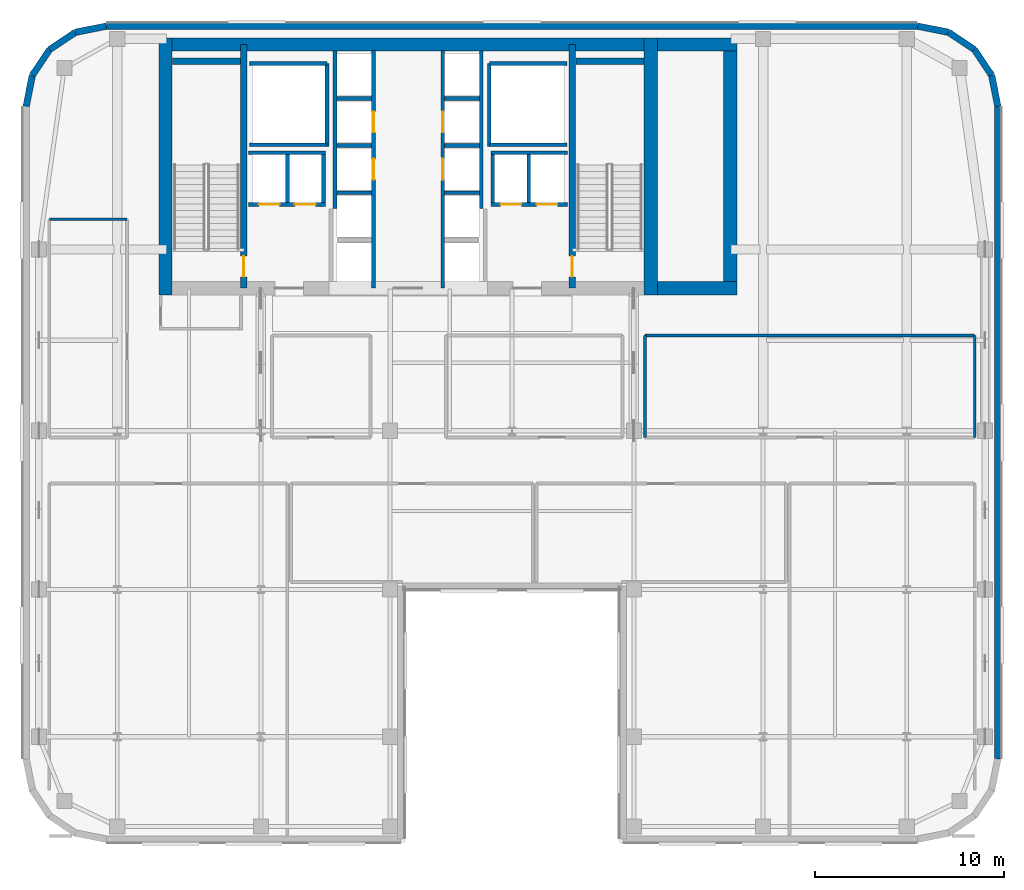
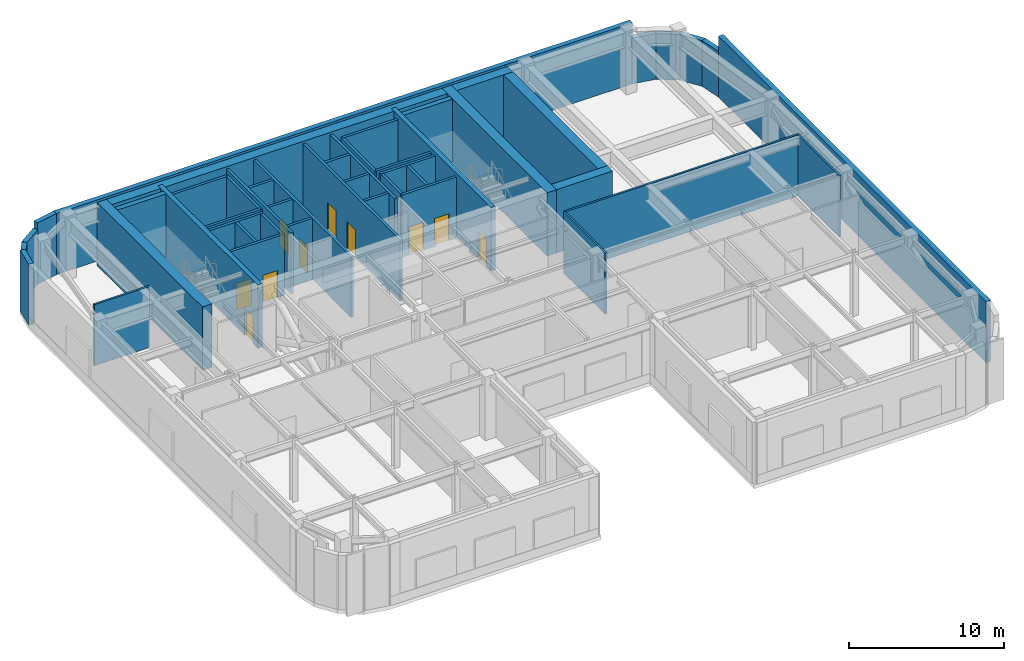
# One storey, part 6 of 12: 48 walls, 10 doors, 10 openings.
"""IFC4 building model written with IfcOpenShell, lengths in metres."""

from ifc_helpers import new_model, si_unit, direction, frame, frame_2d, origin, place, context, subcontext, project, spatial, rectangle, extrude, source, transform, mapped, material, layer, layer_set, type_object, type_shapes, element, fill, save


model = new_model("IFC4")

# Units and contexts
model_context = context("Model", 3, precision=1e-05, world=origin(), true_north=direction((0.0, 1.0)))
body_context = subcontext(model_context, "Body", "Model", "MODEL_VIEW")
ifc_project = project(units=[si_unit("LENGTHUNIT", "METRE"), si_unit("AREAUNIT", "SQUARE_METRE"), si_unit("VOLUMEUNIT", "CUBIC_METRE"), si_unit("PLANEANGLEUNIT", "RADIAN"), si_unit("MASSUNIT", "GRAM", prefix="KILO")], contexts=[model_context])

# Site, building, storey
site_placement = place(None, origin())
site = spatial("IfcSite", under=ifc_project, at=site_placement, CompositionType="ELEMENT")
building_placement = place(site_placement, origin())
building = spatial("IfcBuilding", under=site, at=building_placement, Name="Tolvann Quenvar Hotel", CompositionType="ELEMENT")
storey_placement = place(building_placement, frame((0.0, 0.0, 182.550048828125)))
storey = spatial("IfcBuildingStorey", under=building, at=storey_placement, Name="L48", CompositionType="ELEMENT", Elevation=182.550048828125)

# Walls
ifc_material_1 = material(Name="Concrete S65 (65 MPa)", Category="concrete")
ifc_layer_1 = layer(ifc_material_1, 0.699951171875)
ifc_layer_set_1 = layer_set([ifc_layer_1], Name="Concrete S65 (65 MPa)")
wall_type_1 = type_object("IfcWallType", Name="WALL_CORE_700", PredefinedType="SHEAR", material=ifc_layer_set_1)
wall_1_placement = place(storey_placement, frame((9.800048828125, 44.85009765625, 0.0), z_axis=(0.0, 0.0, 1.0), x_axis=(1.0, 0.0, 0.0)))
element("IfcWall", 1, at=wall_1_placement, inside=storey, type_object=wall_type_1, Name="Rear Core N Shear Wall (L48)", PredefinedType="SHEAR", context=body_context, shape_type="SweptSolid", body=[
    extrude(rectangle(XDim=26.39990234375, YDim=0.699951171875, at=frame_2d((13.199951171875, 0.0))), origin(), (0.0, 0.0, 1.0), 5.0),
])
for number, where, z_axis, x_axis, name in (
    (2, (10.14990234375, 31.60009765625, 0.0), (0.0, 0.0, 1.0), (0.0, 1.0, 0.0), "Rear Core W Shear Wall (L48)"),
    (3, (35.85009765625, 31.60009765625, 0.0), (0.0, 0.0, 1.0), (0.0, 1.0, 0.0), "Rear Core E Shear Wall (L48)"),
):
    element("IfcWall", number, at=place(storey_placement, frame(where, z_axis=z_axis, x_axis=x_axis)), inside=storey, type_object=wall_type_1, Name=name, PredefinedType="SHEAR", context=body_context, shape_type="SweptSolid", body=[
        extrude(rectangle(XDim=13.599853515625, YDim=0.699951171875, at=frame_2d((6.7998046875, 0.0))), origin(), (0.0, 0.0, 1.0), 5.0),
    ])
for number, where, z_axis, x_axis, name in (
    (4, (36.199951171875, 31.949951171875, 0.0), (0.0, 0.0, 1.0), (1.0, 0.0, 0.0), "Core East Annex Shear Wall ANN-S (L48)"),
    (5, (36.199951171875, 44.85009765625, 0.0), (0.0, 0.0, 1.0), (1.0, 0.0, 0.0), "Core East Annex Shear Wall ANN-N (L48)"),
):
    element("IfcWall", number, at=place(storey_placement, frame(where, z_axis=z_axis, x_axis=x_axis)), inside=storey, type_object=wall_type_1, Name=name, PredefinedType="SHEAR", context=body_context, shape_type="SweptSolid", body=[
        extrude(rectangle(XDim=4.199951171875, YDim=0.699951171875, at=frame_2d((2.10009765625, 0.0))), origin(), (0.0, 0.0, 1.0), 5.0),
    ])
wall_2_placement = place(storey_placement, frame((40.050048828125, 31.60009765625, 0.0), z_axis=(0.0, 0.0, 1.0), x_axis=(0.0, 1.0, 0.0)))
element("IfcWall", 6, at=wall_2_placement, inside=storey, type_object=wall_type_1, Name="Core East Annex Shear Wall ANN-E (L48)", PredefinedType="SHEAR", context=body_context, shape_type="SweptSolid", body=[
    extrude(rectangle(XDim=13.599853515625, YDim=0.699951171875, at=frame_2d((6.7998046875, 0.0))), origin(), (0.0, 0.0, 1.0), 5.0),
])

# Wall, opening, door
ifc_layer_2 = layer(ifc_material_1, 0.35009765625)
ifc_layer_set_2 = layer_set([ifc_layer_2], Name="Concrete S65 (65 MPa)")
wall_type_2 = type_object("IfcWallType", Name="WALL_CORE_INT_350", PredefinedType="SHEAR", material=ifc_layer_set_2)
wall_3_placement = place(storey_placement, frame((14.300048828125, 31.949951171875, 0.0), z_axis=(0.0, 0.0, 1.0), x_axis=(0.0, 1.0, 0.0)))
wall_3 = element("IfcWall", 7, at=wall_3_placement, inside=storey, type_object=wall_type_2, Name="Core Internal Web Shear Wall WEB-W (L48)", PredefinedType="SHEAR", context=body_context, shape_type="SweptSolid", body=[
    extrude(rectangle(XDim=12.900146484375, YDim=0.35009765625, at=frame_2d((6.4501953125, 0.0))), origin(), (0.0, 0.0, 1.0), 5.0),
])
opening_1_placement = place(wall_3_placement, frame((0.60009765625, 0.0, 0.0)))
opening_1 = element("IfcOpeningElement", 8, at=opening_1_placement, cuts=wall_3, Name="Opening FD-120", PredefinedType="OPENING", context=body_context, shape_type="SweptSolid", body=[
    extrude(rectangle(XDim=1.10009765625, YDim=2.1201171875, at=frame_2d((0.550048828125, 1.06005859375))), frame((0.0, 0.18505859375, 0.0), z_axis=(0.0, -1.0, 0.0), x_axis=(1.0, 0.0, 0.0)), (0.0, 0.0, 1.0), 0.3701171875),
])
ifc_material_2 = material(Name="Pressed galvanised steel fire-rated door set", Category="steel")
door_type_1 = type_object("IfcDoorType", Name="DOOR_FIRE_STAIR_1100", OperationType="NOTDEFINED", PredefinedType="DOOR", material=ifc_material_2)
shared_shape_1 = source(origin(), body_context, "Body", "SweptSolid", [
    extrude(rectangle(XDim=1.10009765625, YDim=2.1201171875, at=frame_2d((0.550048828125, 1.06005859375))), frame((0.0, 0.02490234375, 0.0), z_axis=(0.0, -1.0, 0.0), x_axis=(1.0, 0.0, 0.0)), (0.0, 0.0, 1.0), 0.050048828125),
])
type_shapes(door_type_1, [shared_shape_1])
door_1_placement = place(opening_1_placement, origin())
door_1 = element("IfcDoor", 9, at=door_1_placement, inside=storey, type_object=door_type_1, Name="Exit Stair ST-C1 Fire Door (L48)", OperationType="SINGLE_SWING_RIGHT", OverallHeight=2.1201171875, OverallWidth=1.10009765625, PredefinedType="DOOR", context=body_context, shape_type="MappedRepresentation", body=[
    mapped(shared_shape_1, transform((0.0, 0.0, 0.0), x_axis=(1.0, 0.0, 0.0), y_axis=(0.0, 1.0, 0.0), z_axis=(0.0, 0.0, 1.0), scale=1.0)),
])
fill(opening_1, door_1)

wall_4_placement = place(storey_placement, frame((31.699951171875, 31.949951171875, 0.0), z_axis=(0.0, 0.0, 1.0), x_axis=(0.0, 1.0, 0.0)))
wall_4 = element("IfcWall", 10, at=wall_4_placement, inside=storey, type_object=wall_type_2, Name="Core Internal Web Shear Wall WEB-E (L48)", PredefinedType="SHEAR", context=body_context, shape_type="SweptSolid", body=[
    extrude(rectangle(XDim=12.900146484375, YDim=0.35009765625, at=frame_2d((6.4501953125, 0.0))), origin(), (0.0, 0.0, 1.0), 5.0),
])
opening_2_placement = place(wall_4_placement, frame((1.7001953125, 0.0, 0.0), z_axis=(0.0, 0.0, 1.0), x_axis=(-1.0, 0.0, 0.0)))
opening_2 = element("IfcOpeningElement", 11, at=opening_2_placement, cuts=wall_4, Name="Opening FD-120", PredefinedType="OPENING", context=body_context, shape_type="SweptSolid", body=[
    extrude(rectangle(XDim=1.10009765625, YDim=2.1201171875, at=frame_2d((0.550048828125, 1.06005859375))), frame((0.0, 0.18505859375, 0.0), z_axis=(0.0, -1.0, 0.0), x_axis=(1.0, 0.0, 0.0)), (0.0, 0.0, 1.0), 0.3701171875),
])
door_2_placement = place(opening_2_placement, origin())
door_2 = element("IfcDoor", 12, at=door_2_placement, inside=storey, type_object=door_type_1, Name="Exit Stair ST-C2 Fire Door (L48)", OperationType="SINGLE_SWING_LEFT", OverallHeight=2.1201171875, OverallWidth=1.10009765625, PredefinedType="DOOR", context=body_context, shape_type="MappedRepresentation", body=[
    mapped(shared_shape_1, transform((0.0, 0.0, 0.0), x_axis=(1.0, 0.0, 0.0), y_axis=(0.0, 1.0, 0.0), z_axis=(0.0, 0.0, 1.0), scale=1.0)),
])
fill(opening_2, door_2)

# Walls
for number, where, z_axis, x_axis, name in (
    (13, (10.52001953125, 43.97509765625, 0.0), (0.0, 0.0, 1.0), (1.0, 0.0, 0.0), "Core Stair North Closing Shear Wall STC1-N (L48)"),
    (14, (31.8798828125, 43.97509765625, 0.0), (0.0, 0.0, 1.0), (1.0, 0.0, 0.0), "Core Stair North Closing Shear Wall STC2-N (L48)"),
):
    element("IfcWall", number, at=place(storey_placement, frame(where, z_axis=z_axis, x_axis=x_axis)), inside=storey, type_object=wall_type_2, Name=name, PredefinedType="SHEAR", context=body_context, shape_type="SweptSolid", body=[
        extrude(rectangle(XDim=3.60009765625, YDim=0.35009765625, at=frame_2d((1.800048828125, 0.0))), origin(), (0.0, 0.0, 1.0), 5.0),
    ])
ifc_material_3 = material(Name="Kiln-fired red and buff architectural clay brickwork and terracotta masonry", Category="masonry")
ifc_layer_3 = layer(ifc_material_3, 0.35009765625)
ifc_layer_set_3 = layer_set([ifc_layer_3], Name="Kiln-fired red and buff architectural clay brickwork and terracotta masonry")
wall_type_3 = type_object("IfcWallType", Name="WALL_EXT_BRICK_350", PredefinedType="SOLIDWALL", material=ifc_layer_set_3)
wall_5_placement = place(storey_placement, frame((54.22509765625, 7.01708984375, 0.0), z_axis=(0.0, 0.0, 1.0), x_axis=(0.0, 1.0, 0.0)))
element("IfcWall", 15, at=wall_5_placement, inside=storey, type_object=wall_type_3, Name="Exterior Chicago Brick Wall L48-E13", PredefinedType="SOLIDWALL", context=body_context, shape_type="SweptSolid", body=[
    extrude(rectangle(XDim=34.565673828125, YDim=0.35009765625, at=frame_2d((17.28271484375, 0.0))), origin(), (0.0, 0.0, 1.0), 4.820068359375),
])
wall_6_placement = place(storey_placement, frame((54.22509765625, 41.582763671875, 0.0), z_axis=(0.0, 0.0, 1.0), x_axis=(-0.195044345786, 0.980794424524, 0.0)))
element("IfcWall", 16, at=wall_6_placement, inside=storey, type_object=wall_type_3, Name="Exterior Chicago Brick Wall L48-E14", PredefinedType="SOLIDWALL", context=body_context, shape_type="SweptSolid", body=[
    extrude(rectangle(XDim=1.664794921875, YDim=0.35009765625, at=frame_2d((0.83251953125, 0.0))), origin(), (0.0, 0.0, 1.0), 3.60986328125),
])
for number, where, z_axis, x_axis, name in (
    (17, (53.900390625, 43.215576171875, 0.0), (0.0, 0.0, 1.0), (-0.555623290322, 0.831434158098, 0.0), "Exterior Chicago Brick Wall L48-E15"),
    (18, (52.985107421875, 44.585205078125, 0.0), (0.0, 0.0, 1.0), (-0.831502623162, 0.555520825599, 0.0), "Exterior Chicago Brick Wall L48-E16"),
):
    element("IfcWall", number, at=place(storey_placement, frame(where, z_axis=z_axis, x_axis=x_axis)), inside=storey, type_object=wall_type_3, Name=name, PredefinedType="SOLIDWALL", context=body_context, shape_type="SweptSolid", body=[
        extrude(rectangle(XDim=1.647216796875, YDim=0.35009765625, at=frame_2d((0.82373046875, 0.0))), origin(), (0.0, 0.0, 1.0), 3.60986328125),
    ])
wall_7_placement = place(storey_placement, frame((51.615478515625, 45.500244140625, 0.0), z_axis=(0.0, 0.0, 1.0), x_axis=(-0.980788844421, 0.195072403631, 0.0)))
element("IfcWall", 19, at=wall_7_placement, inside=storey, type_object=wall_type_3, Name="Exterior Chicago Brick Wall L48-E17", PredefinedType="SOLIDWALL", context=body_context, shape_type="SweptSolid", body=[
    extrude(rectangle(XDim=1.66455078125, YDim=0.35009765625, at=frame_2d((0.832275390625, 0.0))), origin(), (0.0, 0.0, 1.0), 3.60986328125),
])
wall_8_placement = place(storey_placement, frame((49.98291015625, 45.824951171875, 0.0), z_axis=(0.0, 0.0, 1.0), x_axis=(-1.0, 0.0, 0.0)))
element("IfcWall", 20, at=wall_8_placement, inside=storey, type_object=wall_type_3, Name="Exterior Chicago Brick Wall L48-E18", PredefinedType="SOLIDWALL", context=body_context, shape_type="SweptSolid", body=[
    extrude(rectangle(XDim=42.9658203125, YDim=0.35009765625, at=frame_2d((21.48291015625, 0.0))), origin(), (0.0, 0.0, 1.0), 4.820068359375),
])
wall_9_placement = place(storey_placement, frame((7.01708984375, 45.824951171875, 0.0), z_axis=(0.0, 0.0, 1.0), x_axis=(-0.980788844421, -0.195072403631, 0.0)))
element("IfcWall", 21, at=wall_9_placement, inside=storey, type_object=wall_type_3, Name="Exterior Chicago Brick Wall L48-E19", PredefinedType="SOLIDWALL", context=body_context, shape_type="SweptSolid", body=[
    extrude(rectangle(XDim=1.66455078125, YDim=0.35009765625, at=frame_2d((0.832275390625, 0.0))), origin(), (0.0, 0.0, 1.0), 4.820068359375),
])
for number, where, z_axis, x_axis, name in (
    (22, (5.384521484375, 45.500244140625, 0.0), (0.0, 0.0, 1.0), (-0.831502623162, -0.555520825599, 0.0), "Exterior Chicago Brick Wall L48-E20"),
    (23, (4.014892578125, 44.585205078125, 0.0), (0.0, 0.0, 1.0), (-0.555623290322, -0.831434158098, 0.0), "Exterior Chicago Brick Wall L48-E21"),
):
    element("IfcWall", number, at=place(storey_placement, frame(where, z_axis=z_axis, x_axis=x_axis)), inside=storey, type_object=wall_type_3, Name=name, PredefinedType="SOLIDWALL", context=body_context, shape_type="SweptSolid", body=[
        extrude(rectangle(XDim=1.647216796875, YDim=0.35009765625, at=frame_2d((0.82373046875, 0.0))), origin(), (0.0, 0.0, 1.0), 4.281982421875),
    ])
wall_10_placement = place(storey_placement, frame((3.099609375, 43.215576171875, 0.0), z_axis=(0.0, 0.0, 1.0), x_axis=(-0.195044345786, -0.980794424524, 0.0)))
element("IfcWall", 24, at=wall_10_placement, inside=storey, type_object=wall_type_3, Name="Exterior Chicago Brick Wall L48-E22", PredefinedType="SOLIDWALL", context=body_context, shape_type="SweptSolid", body=[
    extrude(rectangle(XDim=1.664794921875, YDim=0.35009765625, at=frame_2d((0.83251953125, 0.0))), origin(), (0.0, 0.0, 1.0), 4.820068359375),
])
ifc_material_4 = material(Name="Acoustic twin-stud fire-rated gypsum plasterboard partition")
ifc_layer_4 = layer(ifc_material_4, 0.14990234375)
ifc_layer_set_4 = layer_set([ifc_layer_4], Name="Acoustic twin-stud fire-rated gypsum plasterboard partition")
wall_type_4 = type_object("IfcWallType", Name="WALL_PART_SUITE_150", PredefinedType="PARTITIONING", material=ifc_layer_set_4)
wall_11_placement = place(storey_placement, frame((4.0, 35.60009765625, 0.0), z_axis=(0.0, 0.0, 1.0), x_axis=(1.0, 0.0, 0.0)))
element("IfcWall", 25, at=wall_11_placement, inside=storey, type_object=wall_type_4, Name="Interior Partition PT-SPC-L48-REF-W-N", PredefinedType="PARTITIONING", context=body_context, shape_type="SweptSolid", body=[
    extrude(rectangle(XDim=4.1201171875, YDim=0.14990234375, at=frame_2d((2.06005859375, 0.0))), origin(), (0.0, 0.0, 1.0), 4.820068359375),
])
wall_12_placement = place(storey_placement, frame((35.550048828125, 29.449951171875, 0.0), z_axis=(0.0, 0.0, 1.0), x_axis=(1.0, 0.0, 0.0)))
element("IfcWall", 26, at=wall_12_placement, inside=storey, type_object=wall_type_4, Name="Interior Partition PT-SPC-L48-REF-FE-N", PredefinedType="PARTITIONING", context=body_context, shape_type="SweptSolid", body=[
    extrude(rectangle(XDim=17.449951171875, YDim=0.14990234375, at=frame_2d((8.72509765625, 0.0))), origin(), (0.0, 0.0, 1.0), 4.820068359375),
])
for number, where, z_axis, x_axis, name in (
    (27, (35.550048828125, 24.050048828125, 0.0), (0.0, 0.0, 1.0), (0.0, 1.0, 0.0), "Interior Partition PT-SPC-L48-REF-FE-W"),
    (28, (53.0, 24.050048828125, 0.0), (0.0, 0.0, 1.0), (0.0, 1.0, 0.0), "Interior Partition PT-SPC-L48-REF-FE-E"),
):
    element("IfcWall", number, at=place(storey_placement, frame(where, z_axis=z_axis, x_axis=x_axis)), inside=storey, type_object=wall_type_4, Name=name, PredefinedType="PARTITIONING", context=body_context, shape_type="SweptSolid", body=[
        extrude(rectangle(XDim=5.39990234375, YDim=0.14990234375, at=frame_2d((2.699951171875, 0.0))), origin(), (0.0, 0.0, 1.0), 4.820068359375),
    ])
ifc_material_5 = material(Name="Concrete N40 (40 MPa)", Category="concrete")
ifc_layer_5 = layer(ifc_material_5, 0.199951171875)
ifc_layer_set_5 = layer_set([ifc_layer_5], Name="Concrete N40 (40 MPa)")
wall_type_5 = type_object("IfcWallType", Name="WALL_SHAFT_200", PredefinedType="SOLIDWALL", material=ifc_layer_set_5)
wall_13_placement = place(storey_placement, frame((18.699951171875, 39.449951171875, 0.0), z_axis=(0.0, 0.0, 1.0), x_axis=(0.0, 1.0, 0.0)))
element("IfcWall", 29, at=wall_13_placement, inside=storey, type_object=wall_type_5, Name="Service Riser W Shaft Wall IN (L48)", PredefinedType="SOLIDWALL", context=body_context, shape_type="SweptSolid", body=[
    extrude(rectangle(XDim=4.400146484375, YDim=0.199951171875, at=frame_2d((2.2001953125, 0.0))), origin(), (0.0, 0.0, 1.0), 4.820068359375),
])
for number, where, z_axis, x_axis, name in (
    (30, (14.60009765625, 39.550048828125, 0.0), (0.0, 0.0, 1.0), (1.0, 0.0, 0.0), "Service Riser W Shaft Wall S (L48)"),
    (31, (14.60009765625, 43.85009765625, 0.0), (0.0, 0.0, 1.0), (1.0, 0.0, 0.0), "Service Riser W Shaft Wall N (L48)"),
):
    element("IfcWall", number, at=place(storey_placement, frame(where, z_axis=z_axis, x_axis=x_axis)), inside=storey, type_object=wall_type_5, Name=name, PredefinedType="SOLIDWALL", context=body_context, shape_type="SweptSolid", body=[
        extrude(rectangle(XDim=4.099853515625, YDim=0.199951171875, at=frame_2d((2.0498046875, 0.0))), origin(), (0.0, 0.0, 1.0), 4.820068359375),
    ])
wall_14_placement = place(storey_placement, frame((27.300048828125, 39.449951171875, 0.0), z_axis=(0.0, 0.0, 1.0), x_axis=(0.0, 1.0, 0.0)))
element("IfcWall", 32, at=wall_14_placement, inside=storey, type_object=wall_type_5, Name="Service Riser E Shaft Wall IN (L48)", PredefinedType="SOLIDWALL", context=body_context, shape_type="SweptSolid", body=[
    extrude(rectangle(XDim=4.400146484375, YDim=0.199951171875, at=frame_2d((2.2001953125, 0.0))), origin(), (0.0, 0.0, 1.0), 4.820068359375),
])
for number, where, z_axis, x_axis, name in (
    (33, (27.300048828125, 39.550048828125, 0.0), (0.0, 0.0, 1.0), (1.0, 0.0, 0.0), "Service Riser E Shaft Wall S (L48)"),
    (34, (27.300048828125, 43.85009765625, 0.0), (0.0, 0.0, 1.0), (1.0, 0.0, 0.0), "Service Riser E Shaft Wall N (L48)"),
):
    element("IfcWall", number, at=place(storey_placement, frame(where, z_axis=z_axis, x_axis=x_axis)), inside=storey, type_object=wall_type_5, Name=name, PredefinedType="SOLIDWALL", context=body_context, shape_type="SweptSolid", body=[
        extrude(rectangle(XDim=4.099853515625, YDim=0.199951171875, at=frame_2d((2.0498046875, 0.0))), origin(), (0.0, 0.0, 1.0), 4.820068359375),
    ])

# Wall, openings, doors
wall_15_placement = place(storey_placement, frame((21.169921875, 31.9599609375, 0.0), z_axis=(0.0, 0.0, 1.0), x_axis=(0.0, 1.0, 0.0)))
wall_15 = element("IfcWall", 35, at=wall_15_placement, inside=storey, type_object=wall_type_5, Name="Lift Bank E21.1C1 Hoistway Front Wall (L48)", PredefinedType="SOLIDWALL", context=body_context, shape_type="SweptSolid", body=[
    extrude(rectangle(XDim=12.580078125, YDim=0.199951171875, at=frame_2d((6.2900390625, 0.0))), origin(), (0.0, 0.0, 1.0), 4.820068359375),
])
opening_3_placement = place(wall_15_placement, frame((5.739990234375, 0.0, 0.0)))
opening_3 = element("IfcOpeningElement", 36, at=opening_3_placement, cuts=wall_15, Name="Opening LD-01", PredefinedType="OPENING", context=body_context, shape_type="SweptSolid", body=[
    extrude(rectangle(XDim=1.10009765625, YDim=2.1201171875, at=frame_2d((0.550048828125, 1.06005859375))), frame((0.0, 0.10986328125, 0.0), z_axis=(0.0, -1.0, 0.0), x_axis=(1.0, 0.0, 0.0)), (0.0, 0.0, 1.0), 0.219970703125),
])
opening_4_placement = place(wall_15_placement, frame((8.239990234375, 0.0, 0.0)))
opening_4 = element("IfcOpeningElement", 37, at=opening_4_placement, cuts=wall_15, Name="Opening LD-01", PredefinedType="OPENING", context=body_context, shape_type="SweptSolid", body=[
    extrude(rectangle(XDim=1.10009765625, YDim=2.1201171875, at=frame_2d((0.550048828125, 1.06005859375))), frame((0.0, 0.10986328125, 0.0), z_axis=(0.0, -1.0, 0.0), x_axis=(1.0, 0.0, 0.0)), (0.0, 0.0, 1.0), 0.219970703125),
])
ifc_material_6 = material(Name="Brushed 316 stainless steel automatic sliding lift landing door", Category="steel")
door_type_2 = type_object("IfcDoorType", Name="DOOR_LIFT_SLIDE_1100", OperationType="NOTDEFINED", PredefinedType="DOOR", material=ifc_material_6)
shared_shape_2 = source(origin(), body_context, "Body", "SweptSolid", [
    extrude(rectangle(XDim=1.10009765625, YDim=2.1201171875, at=frame_2d((0.550048828125, 1.06005859375))), frame((0.0, 0.02490234375, 0.0), z_axis=(0.0, -1.0, 0.0), x_axis=(1.0, 0.0, 0.0)), (0.0, 0.0, 1.0), 0.050048828125),
])
type_shapes(door_type_2, [shared_shape_2])
door_3_placement = place(opening_3_placement, origin())
door_3 = element("IfcDoor", 38, at=door_3_placement, inside=storey, type_object=door_type_2, Name="Lift PM-1 Sliding Landing Door (L48)", OperationType="SLIDING_TO_RIGHT", OverallHeight=2.1201171875, OverallWidth=1.10009765625, PredefinedType="DOOR", context=body_context, shape_type="MappedRepresentation", body=[
    mapped(shared_shape_2, transform((0.0, 0.0, 0.0), x_axis=(1.0, 0.0, 0.0), y_axis=(0.0, 1.0, 0.0), z_axis=(0.0, 0.0, 1.0), scale=1.0)),
])
fill(opening_3, door_3)
door_4_placement = place(opening_4_placement, origin())
door_4 = element("IfcDoor", 39, at=door_4_placement, inside=storey, type_object=door_type_2, Name="Lift PM-2 Sliding Landing Door (L48)", OperationType="SLIDING_TO_LEFT", OverallHeight=2.1201171875, OverallWidth=1.10009765625, PredefinedType="DOOR", context=body_context, shape_type="MappedRepresentation", body=[
    mapped(shared_shape_2, transform((0.0, 0.0, 0.0), x_axis=(1.0, 0.0, 0.0), y_axis=(0.0, 1.0, 0.0), z_axis=(0.0, 0.0, 1.0), scale=1.0)),
])
fill(opening_4, door_4)

# Walls
wall_16_placement = place(storey_placement, frame((19.1298828125, 36.159912109375, 0.0), z_axis=(0.0, 0.0, 1.0), x_axis=(0.0, 1.0, 0.0)))
element("IfcWall", 40, at=wall_16_placement, inside=storey, type_object=wall_type_5, Name="Lift Bank E21.1C1 Hoistway Rear Wall (L48)", PredefinedType="SOLIDWALL", context=body_context, shape_type="SweptSolid", body=[
    extrude(rectangle(XDim=8.336181640625, YDim=0.199951171875, at=frame_2d((4.16796875, 0.0))), origin(), (0.0, 0.0, 1.0), 4.820068359375),
])
for number, where, z_axis, x_axis, name in (
    (41, (19.22998046875, 37.0, 0.0), (0.0, 0.0, 1.0), (1.0, 0.0, 0.0), "Lift Bank E21.1C1 Divider Wall 2 (L48)"),
    (42, (19.22998046875, 39.5, 0.0), (0.0, 0.0, 1.0), (1.0, 0.0, 0.0), "Lift Bank E21.1C1 Divider Wall 3 (L48)"),
    (43, (19.22998046875, 42.0, 0.0), (0.0, 0.0, 1.0), (1.0, 0.0, 0.0), "Lift Bank E21.1C1 Divider Wall 4 (L48)"),
):
    element("IfcWall", number, at=place(storey_placement, frame(where, z_axis=z_axis, x_axis=x_axis)), inside=storey, type_object=wall_type_5, Name=name, PredefinedType="SOLIDWALL", context=body_context, shape_type="SweptSolid", body=[
        extrude(rectangle(XDim=1.840087890625, YDim=0.199951171875, at=frame_2d((0.919921875, 0.0))), origin(), (0.0, 0.0, 1.0), 4.820068359375),
    ])

# Wall, openings, doors
wall_17_placement = place(storey_placement, frame((27.375, 36.3798828125, 0.0), z_axis=(0.0, 0.0, 1.0), x_axis=(1.0, 0.0, 0.0)))
wall_17 = element("IfcWall", 44, at=wall_17_placement, inside=storey, type_object=wall_type_5, Name="Lift Bank SEC1 Hoistway Front Wall (L48)", PredefinedType="SOLIDWALL", context=body_context, shape_type="SweptSolid", body=[
    extrude(rectangle(XDim=4.074951171875, YDim=0.199951171875, at=frame_2d((2.03759765625, 0.0))), origin(), (0.0, 0.0, 1.0), 4.820068359375),
])
opening_5_placement = place(wall_17_placement, frame((0.52490234375, 0.0, 0.0)))
opening_5 = element("IfcOpeningElement", 45, at=opening_5_placement, cuts=wall_17, Name="Opening LD-01", PredefinedType="OPENING", context=body_context, shape_type="SweptSolid", body=[
    extrude(rectangle(XDim=1.10009765625, YDim=2.1201171875, at=frame_2d((0.550048828125, 1.06005859375))), frame((0.0, 0.10986328125, 0.0), z_axis=(0.0, -1.0, 0.0), x_axis=(1.0, 0.0, 0.0)), (0.0, 0.0, 1.0), 0.219970703125),
])
opening_6_placement = place(wall_17_placement, frame((2.425048828125, 0.0, 0.0)))
opening_6 = element("IfcOpeningElement", 46, at=opening_6_placement, cuts=wall_17, Name="Opening LD-01", PredefinedType="OPENING", context=body_context, shape_type="SweptSolid", body=[
    extrude(rectangle(XDim=1.10009765625, YDim=2.1201171875, at=frame_2d((0.550048828125, 1.06005859375))), frame((0.0, 0.10986328125, 0.0), z_axis=(0.0, -1.0, 0.0), x_axis=(1.0, 0.0, 0.0)), (0.0, 0.0, 1.0), 0.219970703125),
])
door_5_placement = place(opening_5_placement, origin())
door_5 = element("IfcDoor", 47, at=door_5_placement, inside=storey, type_object=door_type_2, Name="Lift SV-2 Sliding Landing Door (L48)", OperationType="SLIDING_TO_LEFT", OverallHeight=2.1201171875, OverallWidth=1.10009765625, PredefinedType="DOOR", context=body_context, shape_type="MappedRepresentation", body=[
    mapped(shared_shape_2, transform((0.0, 0.0, 0.0), x_axis=(1.0, 0.0, 0.0), y_axis=(0.0, 1.0, 0.0), z_axis=(0.0, 0.0, 1.0), scale=1.0)),
])
fill(opening_5, door_5)
door_6_placement = place(opening_6_placement, origin())
door_6 = element("IfcDoor", 48, at=door_6_placement, inside=storey, type_object=door_type_2, Name="Lift FF-2 Sliding Landing Door (L48)", OperationType="SLIDING_TO_RIGHT", OverallHeight=2.1201171875, OverallWidth=1.10009765625, PredefinedType="DOOR", context=body_context, shape_type="MappedRepresentation", body=[
    mapped(shared_shape_2, transform((0.0, 0.0, 0.0), x_axis=(1.0, 0.0, 0.0), y_axis=(0.0, 1.0, 0.0), z_axis=(0.0, 0.0, 1.0), scale=1.0)),
])
fill(opening_6, door_6)

# Walls
wall_18_placement = place(storey_placement, frame((27.375, 39.1201171875, 0.0), z_axis=(0.0, 0.0, 1.0), x_axis=(1.0, 0.0, 0.0)))
element("IfcWall", 49, at=wall_18_placement, inside=storey, type_object=wall_type_5, Name="Lift Bank SEC1 Hoistway Rear Wall (L48)", PredefinedType="SOLIDWALL", context=body_context, shape_type="SweptSolid", body=[
    extrude(rectangle(XDim=4.074951171875, YDim=0.199951171875, at=frame_2d((2.03759765625, 0.0))), origin(), (0.0, 0.0, 1.0), 4.820068359375),
])
for number, where, z_axis, x_axis, name in (
    (50, (27.47509765625, 36.47998046875, 0.0), (0.0, 0.0, 1.0), (0.0, 1.0, 0.0), "Lift Bank SEC1 Hoistway Cheek Wall 1 (L48)"),
    (51, (29.387451171875, 36.47998046875, 0.0), (0.0, 0.0, 1.0), (0.0, 1.0, 0.0), "Lift Bank SEC1 Divider Wall 1 (L48)"),
):
    element("IfcWall", number, at=place(storey_placement, frame(where, z_axis=z_axis, x_axis=x_axis)), inside=storey, type_object=wall_type_5, Name=name, PredefinedType="SOLIDWALL", context=body_context, shape_type="SweptSolid", body=[
        extrude(rectangle(XDim=2.5400390625, YDim=0.199951171875, at=frame_2d((1.27001953125, 0.0))), origin(), (0.0, 0.0, 1.0), 4.820068359375),
    ])

# Wall, openings, doors
wall_19_placement = place(storey_placement, frame((14.550048828125, 36.3798828125, 0.0), z_axis=(0.0, 0.0, 1.0), x_axis=(1.0, 0.0, 0.0)))
wall_19 = element("IfcWall", 52, at=wall_19_placement, inside=storey, type_object=wall_type_5, Name="Lift Bank SWC1 Hoistway Front Wall (L48)", PredefinedType="SOLIDWALL", context=body_context, shape_type="SweptSolid", body=[
    extrude(rectangle(XDim=4.074951171875, YDim=0.199951171875, at=frame_2d((2.03759765625, 0.0))), origin(), (0.0, 0.0, 1.0), 4.820068359375),
])
opening_7_placement = place(wall_19_placement, frame((0.550048828125, 0.0, 0.0)))
opening_7 = element("IfcOpeningElement", 53, at=opening_7_placement, cuts=wall_19, Name="Opening LD-01", PredefinedType="OPENING", context=body_context, shape_type="SweptSolid", body=[
    extrude(rectangle(XDim=1.10009765625, YDim=2.1201171875, at=frame_2d((0.550048828125, 1.06005859375))), frame((0.0, 0.10986328125, 0.0), z_axis=(0.0, -1.0, 0.0), x_axis=(1.0, 0.0, 0.0)), (0.0, 0.0, 1.0), 0.219970703125),
])
opening_8_placement = place(wall_19_placement, frame((2.449951171875, 0.0, 0.0)))
opening_8 = element("IfcOpeningElement", 54, at=opening_8_placement, cuts=wall_19, Name="Opening LD-01", PredefinedType="OPENING", context=body_context, shape_type="SweptSolid", body=[
    extrude(rectangle(XDim=1.10009765625, YDim=2.1201171875, at=frame_2d((0.550048828125, 1.06005859375))), frame((0.0, 0.10986328125, 0.0), z_axis=(0.0, -1.0, 0.0), x_axis=(1.0, 0.0, 0.0)), (0.0, 0.0, 1.0), 0.219970703125),
])
door_7_placement = place(opening_7_placement, origin())
door_7 = element("IfcDoor", 55, at=door_7_placement, inside=storey, type_object=door_type_2, Name="Lift FF-1 Sliding Landing Door (L48)", OperationType="SLIDING_TO_LEFT", OverallHeight=2.1201171875, OverallWidth=1.10009765625, PredefinedType="DOOR", context=body_context, shape_type="MappedRepresentation", body=[
    mapped(shared_shape_2, transform((0.0, 0.0, 0.0), x_axis=(1.0, 0.0, 0.0), y_axis=(0.0, 1.0, 0.0), z_axis=(0.0, 0.0, 1.0), scale=1.0)),
])
fill(opening_7, door_7)
door_8_placement = place(opening_8_placement, origin())
door_8 = element("IfcDoor", 56, at=door_8_placement, inside=storey, type_object=door_type_2, Name="Lift SV-1 Sliding Landing Door (L48)", OperationType="SLIDING_TO_RIGHT", OverallHeight=2.1201171875, OverallWidth=1.10009765625, PredefinedType="DOOR", context=body_context, shape_type="MappedRepresentation", body=[
    mapped(shared_shape_2, transform((0.0, 0.0, 0.0), x_axis=(1.0, 0.0, 0.0), y_axis=(0.0, 1.0, 0.0), z_axis=(0.0, 0.0, 1.0), scale=1.0)),
])
fill(opening_8, door_8)

# Walls
wall_20_placement = place(storey_placement, frame((14.550048828125, 39.1201171875, 0.0), z_axis=(0.0, 0.0, 1.0), x_axis=(1.0, 0.0, 0.0)))
element("IfcWall", 57, at=wall_20_placement, inside=storey, type_object=wall_type_5, Name="Lift Bank SWC1 Hoistway Rear Wall (L48)", PredefinedType="SOLIDWALL", context=body_context, shape_type="SweptSolid", body=[
    extrude(rectangle(XDim=4.074951171875, YDim=0.199951171875, at=frame_2d((2.03759765625, 0.0))), origin(), (0.0, 0.0, 1.0), 4.820068359375),
])
for number, where, z_axis, x_axis, name in (
    (58, (18.52490234375, 36.47998046875, 0.0), (0.0, 0.0, 1.0), (0.0, 1.0, 0.0), "Lift Bank SWC1 Hoistway Cheek Wall 2 (L48)"),
    (59, (16.612548828125, 36.47998046875, 0.0), (0.0, 0.0, 1.0), (0.0, 1.0, 0.0), "Lift Bank SWC1 Divider Wall 1 (L48)"),
):
    element("IfcWall", number, at=place(storey_placement, frame(where, z_axis=z_axis, x_axis=x_axis)), inside=storey, type_object=wall_type_5, Name=name, PredefinedType="SOLIDWALL", context=body_context, shape_type="SweptSolid", body=[
        extrude(rectangle(XDim=2.5400390625, YDim=0.199951171875, at=frame_2d((1.27001953125, 0.0))), origin(), (0.0, 0.0, 1.0), 4.820068359375),
    ])

# Wall, openings, doors
wall_21_placement = place(storey_placement, frame((24.830078125, 31.9599609375, 0.0), z_axis=(0.0, 0.0, 1.0), x_axis=(0.0, 1.0, 0.0)))
wall_21 = element("IfcWall", 60, at=wall_21_placement, inside=storey, type_object=wall_type_5, Name="Lift Bank W24.9C1 Hoistway Front Wall (L48)", PredefinedType="SOLIDWALL", context=body_context, shape_type="SweptSolid", body=[
    extrude(rectangle(XDim=12.580078125, YDim=0.199951171875, at=frame_2d((6.2900390625, 0.0))), origin(), (0.0, 0.0, 1.0), 4.820068359375),
])
opening_9_placement = place(wall_21_placement, frame((5.739990234375, 0.0, 0.0)))
opening_9 = element("IfcOpeningElement", 61, at=opening_9_placement, cuts=wall_21, Name="Opening LD-01", PredefinedType="OPENING", context=body_context, shape_type="SweptSolid", body=[
    extrude(rectangle(XDim=1.10009765625, YDim=2.1201171875, at=frame_2d((0.550048828125, 1.06005859375))), frame((0.0, 0.10986328125, 0.0), z_axis=(0.0, -1.0, 0.0), x_axis=(1.0, 0.0, 0.0)), (0.0, 0.0, 1.0), 0.219970703125),
])
opening_10_placement = place(wall_21_placement, frame((8.239990234375, 0.0, 0.0)))
opening_10 = element("IfcOpeningElement", 62, at=opening_10_placement, cuts=wall_21, Name="Opening LD-01", PredefinedType="OPENING", context=body_context, shape_type="SweptSolid", body=[
    extrude(rectangle(XDim=1.10009765625, YDim=2.1201171875, at=frame_2d((0.550048828125, 1.06005859375))), frame((0.0, 0.10986328125, 0.0), z_axis=(0.0, -1.0, 0.0), x_axis=(1.0, 0.0, 0.0)), (0.0, 0.0, 1.0), 0.219970703125),
])
door_9_placement = place(opening_9_placement, origin())
door_9 = element("IfcDoor", 63, at=door_9_placement, inside=storey, type_object=door_type_2, Name="Lift PM-3 Sliding Landing Door (L48)", OperationType="SLIDING_TO_RIGHT", OverallHeight=2.1201171875, OverallWidth=1.10009765625, PredefinedType="DOOR", context=body_context, shape_type="MappedRepresentation", body=[
    mapped(shared_shape_2, transform((0.0, 0.0, 0.0), x_axis=(1.0, 0.0, 0.0), y_axis=(0.0, 1.0, 0.0), z_axis=(0.0, 0.0, 1.0), scale=1.0)),
])
fill(opening_9, door_9)
door_10_placement = place(opening_10_placement, origin())
door_10 = element("IfcDoor", 64, at=door_10_placement, inside=storey, type_object=door_type_2, Name="Lift PM-4 Sliding Landing Door (L48)", OperationType="SLIDING_TO_LEFT", OverallHeight=2.1201171875, OverallWidth=1.10009765625, PredefinedType="DOOR", context=body_context, shape_type="MappedRepresentation", body=[
    mapped(shared_shape_2, transform((0.0, 0.0, 0.0), x_axis=(1.0, 0.0, 0.0), y_axis=(0.0, 1.0, 0.0), z_axis=(0.0, 0.0, 1.0), scale=1.0)),
])
fill(opening_10, door_10)

# Walls
wall_22_placement = place(storey_placement, frame((26.8701171875, 36.159912109375, 0.0), z_axis=(0.0, 0.0, 1.0), x_axis=(0.0, 1.0, 0.0)))
element("IfcWall", 65, at=wall_22_placement, inside=storey, type_object=wall_type_5, Name="Lift Bank W24.9C1 Hoistway Rear Wall (L48)", PredefinedType="SOLIDWALL", context=body_context, shape_type="SweptSolid", body=[
    extrude(rectangle(XDim=8.336181640625, YDim=0.199951171875, at=frame_2d((4.16796875, 0.0))), origin(), (0.0, 0.0, 1.0), 4.820068359375),
])
for number, where, z_axis, x_axis, name in (
    (66, (24.929931640625, 37.0, 0.0), (0.0, 0.0, 1.0), (1.0, 0.0, 0.0), "Lift Bank W24.9C1 Divider Wall 2 (L48)"),
    (67, (24.929931640625, 39.5, 0.0), (0.0, 0.0, 1.0), (1.0, 0.0, 0.0), "Lift Bank W24.9C1 Divider Wall 3 (L48)"),
    (68, (24.929931640625, 42.0, 0.0), (0.0, 0.0, 1.0), (1.0, 0.0, 0.0), "Lift Bank W24.9C1 Divider Wall 4 (L48)"),
):
    element("IfcWall", number, at=place(storey_placement, frame(where, z_axis=z_axis, x_axis=x_axis)), inside=storey, type_object=wall_type_5, Name=name, PredefinedType="SOLIDWALL", context=body_context, shape_type="SweptSolid", body=[
        extrude(rectangle(XDim=1.840087890625, YDim=0.199951171875, at=frame_2d((0.919921875, 0.0))), origin(), (0.0, 0.0, 1.0), 4.820068359375),
    ])

save(model, "model.ifc")
